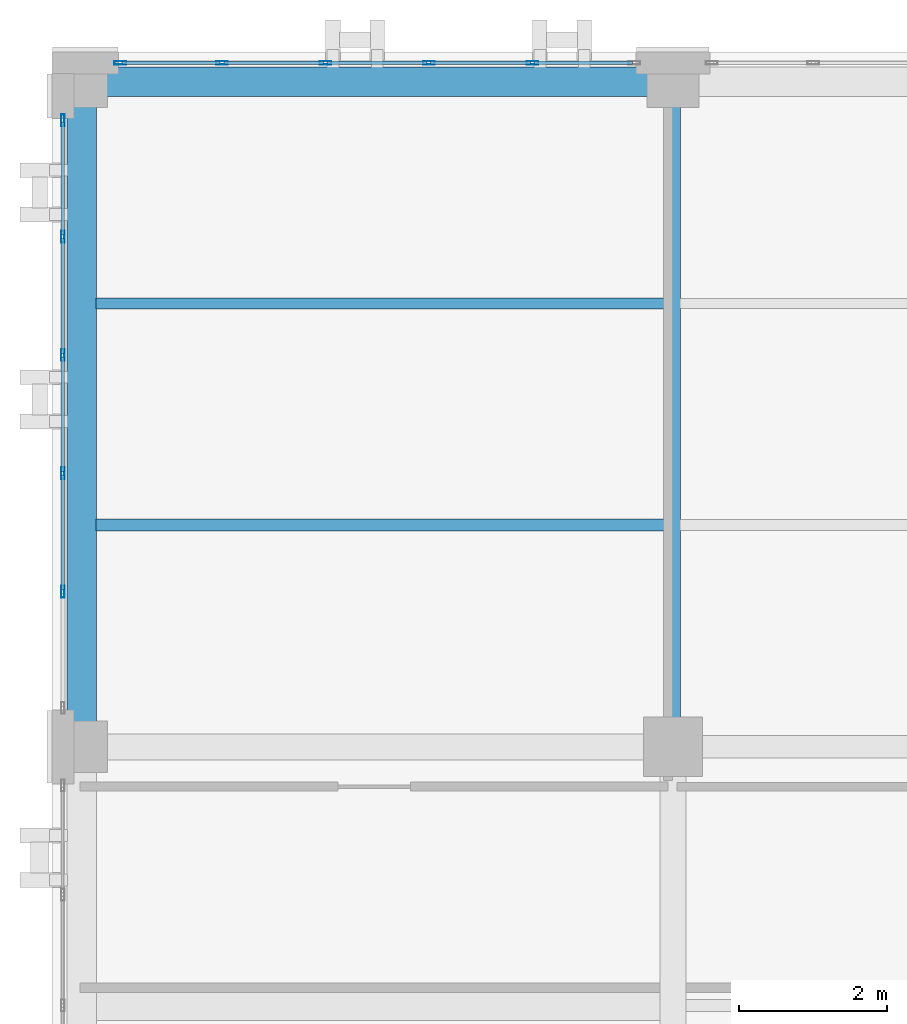
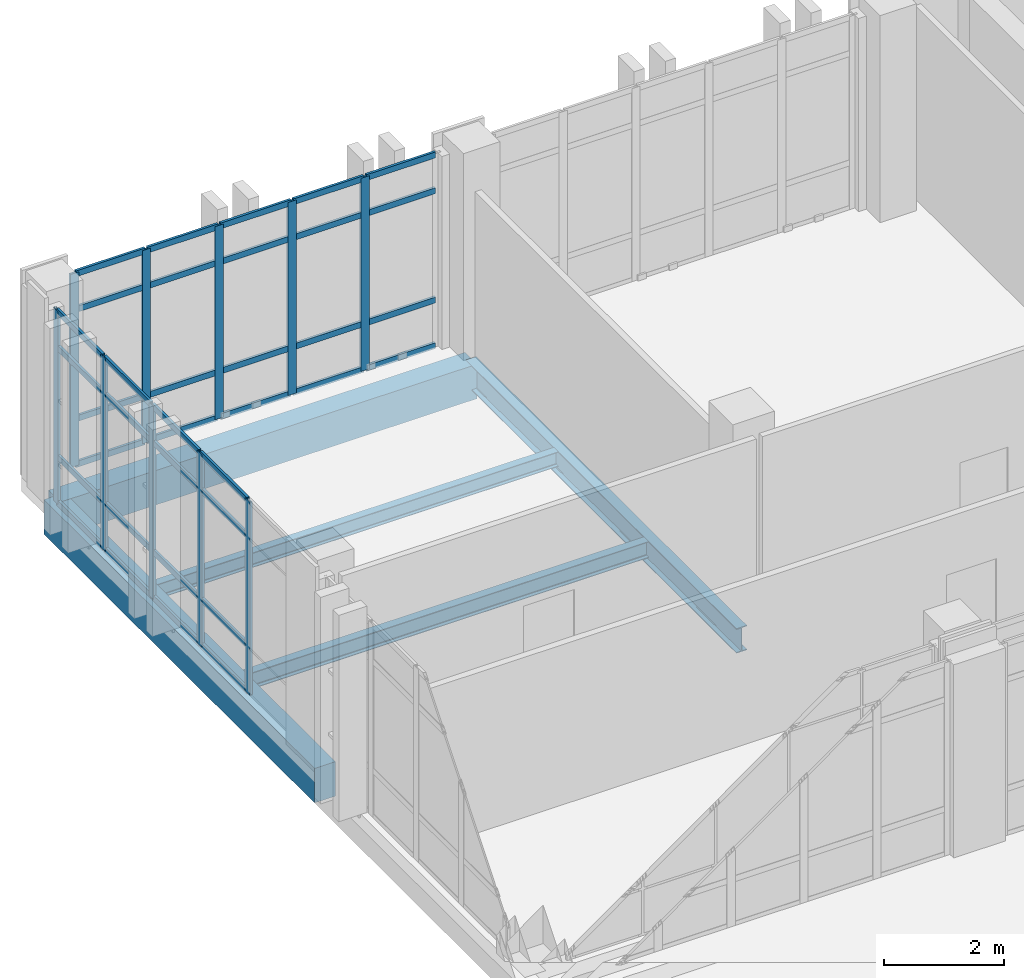
# One storey, part 87 of 165: 46 members, 5 beams, 2 elements without a shape of their own.
"""IFC4 building model written with IfcOpenShell, lengths in metres."""

from ifc_helpers import new_model, si_unit, direction, frame, origin, origin_2d, place, context, subcontext, project, spatial, rectangle, hollow_rectangle, i_section, extrude, material, layer, layer_set, material_profile, profile_set, type_object, element, aggregate, save


model = new_model("IFC4")

# Units and contexts
model_context = context("Model", 3, precision=1e-05, world=origin(), true_north=direction((0.0, 1.0)))
body_context = subcontext(model_context, "Body", "Model", "MODEL_VIEW")
ifc_project = project(units=[si_unit("LENGTHUNIT", "METRE"), si_unit("AREAUNIT", "SQUARE_METRE"), si_unit("VOLUMEUNIT", "CUBIC_METRE"), si_unit("PLANEANGLEUNIT", "RADIAN"), si_unit("MASSUNIT", "GRAM", prefix="KILO")], contexts=[model_context])

# Site, building, storey
site_placement = place(None, origin())
site = spatial("IfcSite", under=ifc_project, at=site_placement, CompositionType="ELEMENT")
building_placement = place(site_placement, origin())
building = spatial("IfcBuilding", under=site, at=building_placement, Name="Qalavern Law Courts", CompositionType="ELEMENT")
storey_placement = place(building_placement, frame((0.0, 0.0, 14.39990234375)))
storey = spatial("IfcBuildingStorey", under=building, at=storey_placement, Name="L03", CompositionType="ELEMENT", Elevation=14.39990234375)

# Curtain wall, members
ifc_material_1 = material(Name="Anodised aluminium and insulated glazing", Category="aluminium")
ifc_layer = layer(ifc_material_1, 0.166015625)
ifc_layer_set = layer_set([ifc_layer], Name="Anodised aluminium and insulated glazing")
curtain_wall_type = type_object("IfcCurtainWallType", Name="ENV-CW-LIB", PredefinedType="USERDEFINED", material=ifc_layer_set)
curtain_wall_1_placement = place(storey_placement, origin())
curtain_wall_1 = element("IfcCurtainWall", 1, at=curtain_wall_1_placement, inside=storey, type_object=curtain_wall_type, Name="V5 unitised curtain wall L03 north 7", ObjectType="UNITISED CURTAIN WALL", PredefinedType="USERDEFINED")
ifc_material_2 = material(Name="Anodised aluminium", Category="aluminium")
ifc_material_profile_1 = material_profile(ifc_material_2, hollow_rectangle(XDim=0.048095703125, YDim=0.159912109375, WallThickness=0.00390625, at=origin_2d()), Name="ALU MULLION 48x160")
ifc_profile_set_1 = profile_set([ifc_material_profile_1], Name="Anodised aluminium")
member_type_1 = type_object("IfcMemberType", Name="ENV-CWM-48x160", PredefinedType="MULLION", material=ifc_profile_set_1)
member_1_placement = place(storey_placement, frame((8.5, 112.8525390625, 0.0), z_axis=(0.0, 0.0, 1.0), x_axis=(0.0, -1.0, 0.0)))
member_1 = element("IfcMember", 2, at=member_1_placement, type_object=member_type_1, Name="CW-05 mullion 2", PredefinedType="MULLION", context=body_context, shape_type="SweptSolid", body=[
    extrude(hollow_rectangle(XDim=0.048095703125, YDim=0.159912109375, WallThickness=0.00390625, at=origin_2d()), origin(), (0.0, 0.0, 1.0), 3.920166015625),
])
member_2_placement = place(storey_placement, frame((7.10009765625, 112.8525390625, 0.0), z_axis=(0.0, 0.0, 1.0), x_axis=(0.0, -1.0, 0.0)))
member_2 = element("IfcMember", 3, at=member_2_placement, type_object=member_type_1, Name="CW-05 mullion 3", PredefinedType="MULLION", context=body_context, shape_type="SweptSolid", body=[
    extrude(hollow_rectangle(XDim=0.048095703125, YDim=0.159912109375, WallThickness=0.00390625, at=origin_2d()), origin(), (0.0, 0.0, 1.0), 3.920166015625),
])
member_3_placement = place(storey_placement, frame((5.699951171875, 112.8525390625, 0.0), z_axis=(0.0, 0.0, 1.0), x_axis=(0.0, -1.0, 0.0)))
member_3 = element("IfcMember", 4, at=member_3_placement, type_object=member_type_1, Name="CW-05 mullion 4", PredefinedType="MULLION", context=body_context, shape_type="SweptSolid", body=[
    extrude(hollow_rectangle(XDim=0.048095703125, YDim=0.159912109375, WallThickness=0.00390625, at=origin_2d()), origin(), (0.0, 0.0, 1.0), 3.920166015625),
])
member_4_placement = place(storey_placement, frame((4.300048828125, 112.8525390625, 0.0), z_axis=(0.0, 0.0, 1.0), x_axis=(0.0, -1.0, 0.0)))
member_4 = element("IfcMember", 5, at=member_4_placement, type_object=member_type_1, Name="CW-05 mullion 5", PredefinedType="MULLION", context=body_context, shape_type="SweptSolid", body=[
    extrude(hollow_rectangle(XDim=0.048095703125, YDim=0.159912109375, WallThickness=0.00390625, at=origin_2d()), origin(), (0.0, 0.0, 1.0), 3.920166015625),
])
member_5_placement = place(storey_placement, frame((2.924072265625, 112.8525390625, 0.0), z_axis=(0.0, 0.0, 1.0), x_axis=(0.0, -1.0, 0.0)))
member_5 = element("IfcMember", 6, at=member_5_placement, type_object=member_type_1, Name="CW-05 mullion 6", PredefinedType="MULLION", context=body_context, shape_type="SweptSolid", body=[
    extrude(hollow_rectangle(XDim=0.048095703125, YDim=0.159912109375, WallThickness=0.00390625, at=origin_2d()), origin(), (0.0, 0.0, 1.0), 3.920166015625),
])

curtain_wall_2_placement = place(storey_placement, origin())
curtain_wall_2 = element("IfcCurtainWall", 7, at=curtain_wall_2_placement, inside=storey, type_object=curtain_wall_type, Name="V5 unitised curtain wall L03 west 1", ObjectType="UNITISED CURTAIN WALL", PredefinedType="USERDEFINED")
member_6_placement = place(storey_placement, frame((2.1474609375, 112.075927734375, 0.0), z_axis=(0.0, 0.0, 1.0), x_axis=(1.0, 0.0, 0.0)))
member_6 = element("IfcMember", 8, at=member_6_placement, type_object=member_type_1, Name="CW-05 mullion 1", PredefinedType="MULLION", context=body_context, shape_type="SweptSolid", body=[
    extrude(hollow_rectangle(XDim=0.048095703125, YDim=0.159912109375, WallThickness=0.00390625, at=origin_2d()), origin(), (0.0, 0.0, 1.0), 3.920166015625),
])
member_7_placement = place(storey_placement, frame((2.1474609375, 110.5, 0.0), z_axis=(0.0, 0.0, 1.0), x_axis=(1.0, 0.0, 0.0)))
member_7 = element("IfcMember", 9, at=member_7_placement, type_object=member_type_1, Name="CW-05 mullion 2", PredefinedType="MULLION", context=body_context, shape_type="SweptSolid", body=[
    extrude(hollow_rectangle(XDim=0.048095703125, YDim=0.159912109375, WallThickness=0.00390625, at=origin_2d()), origin(), (0.0, 0.0, 1.0), 3.920166015625),
])
member_8_placement = place(storey_placement, frame((2.1474609375, 108.89990234375, 0.0), z_axis=(0.0, 0.0, 1.0), x_axis=(1.0, 0.0, 0.0)))
member_8 = element("IfcMember", 10, at=member_8_placement, type_object=member_type_1, Name="CW-05 mullion 3", PredefinedType="MULLION", context=body_context, shape_type="SweptSolid", body=[
    extrude(hollow_rectangle(XDim=0.048095703125, YDim=0.159912109375, WallThickness=0.00390625, at=origin_2d()), origin(), (0.0, 0.0, 1.0), 3.920166015625),
])
member_9_placement = place(storey_placement, frame((2.1474609375, 107.300048828125, 0.0), z_axis=(0.0, 0.0, 1.0), x_axis=(1.0, 0.0, 0.0)))
member_9 = element("IfcMember", 11, at=member_9_placement, type_object=member_type_1, Name="CW-05 mullion 4", PredefinedType="MULLION", context=body_context, shape_type="SweptSolid", body=[
    extrude(hollow_rectangle(XDim=0.048095703125, YDim=0.159912109375, WallThickness=0.00390625, at=origin_2d()), origin(), (0.0, 0.0, 1.0), 3.920166015625),
])
member_10_placement = place(storey_placement, frame((2.1474609375, 105.699951171875, 0.0), z_axis=(0.0, 0.0, 1.0), x_axis=(1.0, 0.0, 0.0)))
member_10 = element("IfcMember", 12, at=member_10_placement, type_object=member_type_1, Name="CW-05 mullion 5", PredefinedType="MULLION", context=body_context, shape_type="SweptSolid", body=[
    extrude(hollow_rectangle(XDim=0.048095703125, YDim=0.159912109375, WallThickness=0.00390625, at=origin_2d()), origin(), (0.0, 0.0, 1.0), 3.920166015625),
])

# Member
ifc_material_profile_2 = material_profile(ifc_material_2, hollow_rectangle(XDim=0.048095703125, YDim=0.1201171875, WallThickness=0.00390625, at=origin_2d()), Name="ALU TRANSOM 48x120")
ifc_profile_set_2 = profile_set([ifc_material_profile_2], Name="Anodised aluminium")
member_type_2 = type_object("IfcMemberType", Name="ENV-CWT-48x120", PredefinedType="USERDEFINED", material=ifc_profile_set_2)
member_11_placement = place(storey_placement, frame((9.85205078125, 112.8525390625, 0.024169921875), z_axis=(-1.0, 0.0, 0.0), x_axis=(0.0, -1.0, 0.0)))
member_11 = element("IfcMember", 13, at=member_11_placement, type_object=member_type_2, Name="CW-05 transom 1.1", ObjectType="TRANSOM", PredefinedType="USERDEFINED", context=body_context, shape_type="SweptSolid", body=[
    extrude(hollow_rectangle(XDim=0.048095703125, YDim=0.1201171875, WallThickness=0.00390625, at=origin_2d()), origin(), (0.0, 0.0, 1.0), 1.328125),
])

member_12_placement = place(storey_placement, frame((9.85205078125, 112.8525390625, 0.9501953125), z_axis=(-1.0, 0.0, 0.0), x_axis=(0.0, -1.0, 0.0)))
member_12 = element("IfcMember", 14, at=member_12_placement, type_object=member_type_2, Name="CW-05 transom 1.2", ObjectType="TRANSOM", PredefinedType="USERDEFINED", context=body_context, shape_type="SweptSolid", body=[
    extrude(hollow_rectangle(XDim=0.048095703125, YDim=0.1201171875, WallThickness=0.00390625, at=origin_2d()), origin(), (0.0, 0.0, 1.0), 1.328125),
])

member_13_placement = place(storey_placement, frame((9.85205078125, 112.8525390625, 3.170166015625), z_axis=(-1.0, 0.0, 0.0), x_axis=(0.0, -1.0, 0.0)))
member_13 = element("IfcMember", 15, at=member_13_placement, type_object=member_type_2, Name="CW-05 transom 1.3", ObjectType="TRANSOM", PredefinedType="USERDEFINED", context=body_context, shape_type="SweptSolid", body=[
    extrude(hollow_rectangle(XDim=0.048095703125, YDim=0.1201171875, WallThickness=0.00390625, at=origin_2d()), origin(), (0.0, 0.0, 1.0), 1.328125),
])

member_14_placement = place(storey_placement, frame((9.85205078125, 112.8525390625, 3.89599609375), z_axis=(-1.0, 0.0, 0.0), x_axis=(0.0, -1.0, 0.0)))
member_14 = element("IfcMember", 16, at=member_14_placement, type_object=member_type_2, Name="CW-05 transom 1.4", ObjectType="TRANSOM", PredefinedType="USERDEFINED", context=body_context, shape_type="SweptSolid", body=[
    extrude(hollow_rectangle(XDim=0.048095703125, YDim=0.1201171875, WallThickness=0.00390625, at=origin_2d()), origin(), (0.0, 0.0, 1.0), 1.328125),
])

member_15_placement = place(storey_placement, frame((8.47607421875, 112.8525390625, 0.024169921875), z_axis=(-1.0, 0.0, 0.0), x_axis=(0.0, -1.0, 0.0)))
member_15 = element("IfcMember", 17, at=member_15_placement, type_object=member_type_2, Name="CW-05 transom 2.1", ObjectType="TRANSOM", PredefinedType="USERDEFINED", context=body_context, shape_type="SweptSolid", body=[
    extrude(hollow_rectangle(XDim=0.048095703125, YDim=0.1201171875, WallThickness=0.00390625, at=origin_2d()), origin(), (0.0, 0.0, 1.0), 1.35205078125),
])

member_16_placement = place(storey_placement, frame((8.47607421875, 112.8525390625, 0.9501953125), z_axis=(-1.0, 0.0, 0.0), x_axis=(0.0, -1.0, 0.0)))
member_16 = element("IfcMember", 18, at=member_16_placement, type_object=member_type_2, Name="CW-05 transom 2.2", ObjectType="TRANSOM", PredefinedType="USERDEFINED", context=body_context, shape_type="SweptSolid", body=[
    extrude(hollow_rectangle(XDim=0.048095703125, YDim=0.1201171875, WallThickness=0.00390625, at=origin_2d()), origin(), (0.0, 0.0, 1.0), 1.35205078125),
])

member_17_placement = place(storey_placement, frame((8.47607421875, 112.8525390625, 3.170166015625), z_axis=(-1.0, 0.0, 0.0), x_axis=(0.0, -1.0, 0.0)))
member_17 = element("IfcMember", 19, at=member_17_placement, type_object=member_type_2, Name="CW-05 transom 2.3", ObjectType="TRANSOM", PredefinedType="USERDEFINED", context=body_context, shape_type="SweptSolid", body=[
    extrude(hollow_rectangle(XDim=0.048095703125, YDim=0.1201171875, WallThickness=0.00390625, at=origin_2d()), origin(), (0.0, 0.0, 1.0), 1.35205078125),
])

member_18_placement = place(storey_placement, frame((8.47607421875, 112.8525390625, 3.89599609375), z_axis=(-1.0, 0.0, 0.0), x_axis=(0.0, -1.0, 0.0)))
member_18 = element("IfcMember", 20, at=member_18_placement, type_object=member_type_2, Name="CW-05 transom 2.4", ObjectType="TRANSOM", PredefinedType="USERDEFINED", context=body_context, shape_type="SweptSolid", body=[
    extrude(hollow_rectangle(XDim=0.048095703125, YDim=0.1201171875, WallThickness=0.00390625, at=origin_2d()), origin(), (0.0, 0.0, 1.0), 1.35205078125),
])

member_19_placement = place(storey_placement, frame((7.075927734375, 112.8525390625, 0.024169921875), z_axis=(-1.0, 0.0, 0.0), x_axis=(0.0, -1.0, 0.0)))
member_19 = element("IfcMember", 21, at=member_19_placement, type_object=member_type_2, Name="CW-05 transom 3.1", ObjectType="TRANSOM", PredefinedType="USERDEFINED", context=body_context, shape_type="SweptSolid", body=[
    extrude(hollow_rectangle(XDim=0.048095703125, YDim=0.1201171875, WallThickness=0.00390625, at=origin_2d()), origin(), (0.0, 0.0, 1.0), 1.351806640625),
])

member_20_placement = place(storey_placement, frame((7.075927734375, 112.8525390625, 0.9501953125), z_axis=(-1.0, 0.0, 0.0), x_axis=(0.0, -1.0, 0.0)))
member_20 = element("IfcMember", 22, at=member_20_placement, type_object=member_type_2, Name="CW-05 transom 3.2", ObjectType="TRANSOM", PredefinedType="USERDEFINED", context=body_context, shape_type="SweptSolid", body=[
    extrude(hollow_rectangle(XDim=0.048095703125, YDim=0.1201171875, WallThickness=0.00390625, at=origin_2d()), origin(), (0.0, 0.0, 1.0), 1.351806640625),
])

member_21_placement = place(storey_placement, frame((7.075927734375, 112.8525390625, 3.170166015625), z_axis=(-1.0, 0.0, 0.0), x_axis=(0.0, -1.0, 0.0)))
member_21 = element("IfcMember", 23, at=member_21_placement, type_object=member_type_2, Name="CW-05 transom 3.3", ObjectType="TRANSOM", PredefinedType="USERDEFINED", context=body_context, shape_type="SweptSolid", body=[
    extrude(hollow_rectangle(XDim=0.048095703125, YDim=0.1201171875, WallThickness=0.00390625, at=origin_2d()), origin(), (0.0, 0.0, 1.0), 1.351806640625),
])

member_22_placement = place(storey_placement, frame((7.075927734375, 112.8525390625, 3.89599609375), z_axis=(-1.0, 0.0, 0.0), x_axis=(0.0, -1.0, 0.0)))
member_22 = element("IfcMember", 24, at=member_22_placement, type_object=member_type_2, Name="CW-05 transom 3.4", ObjectType="TRANSOM", PredefinedType="USERDEFINED", context=body_context, shape_type="SweptSolid", body=[
    extrude(hollow_rectangle(XDim=0.048095703125, YDim=0.1201171875, WallThickness=0.00390625, at=origin_2d()), origin(), (0.0, 0.0, 1.0), 1.351806640625),
])

member_23_placement = place(storey_placement, frame((5.676025390625, 112.8525390625, 0.024169921875), z_axis=(-1.0, 0.0, 0.0), x_axis=(0.0, -1.0, 0.0)))
member_23 = element("IfcMember", 25, at=member_23_placement, type_object=member_type_2, Name="CW-05 transom 4.1", ObjectType="TRANSOM", PredefinedType="USERDEFINED", context=body_context, shape_type="SweptSolid", body=[
    extrude(hollow_rectangle(XDim=0.048095703125, YDim=0.1201171875, WallThickness=0.00390625, at=origin_2d()), origin(), (0.0, 0.0, 1.0), 1.35205078125),
])

member_24_placement = place(storey_placement, frame((5.676025390625, 112.8525390625, 0.9501953125), z_axis=(-1.0, 0.0, 0.0), x_axis=(0.0, -1.0, 0.0)))
member_24 = element("IfcMember", 26, at=member_24_placement, type_object=member_type_2, Name="CW-05 transom 4.2", ObjectType="TRANSOM", PredefinedType="USERDEFINED", context=body_context, shape_type="SweptSolid", body=[
    extrude(hollow_rectangle(XDim=0.048095703125, YDim=0.1201171875, WallThickness=0.00390625, at=origin_2d()), origin(), (0.0, 0.0, 1.0), 1.35205078125),
])

member_25_placement = place(storey_placement, frame((5.676025390625, 112.8525390625, 3.170166015625), z_axis=(-1.0, 0.0, 0.0), x_axis=(0.0, -1.0, 0.0)))
member_25 = element("IfcMember", 27, at=member_25_placement, type_object=member_type_2, Name="CW-05 transom 4.3", ObjectType="TRANSOM", PredefinedType="USERDEFINED", context=body_context, shape_type="SweptSolid", body=[
    extrude(hollow_rectangle(XDim=0.048095703125, YDim=0.1201171875, WallThickness=0.00390625, at=origin_2d()), origin(), (0.0, 0.0, 1.0), 1.35205078125),
])

member_26_placement = place(storey_placement, frame((5.676025390625, 112.8525390625, 3.89599609375), z_axis=(-1.0, 0.0, 0.0), x_axis=(0.0, -1.0, 0.0)))
member_26 = element("IfcMember", 28, at=member_26_placement, type_object=member_type_2, Name="CW-05 transom 4.4", ObjectType="TRANSOM", PredefinedType="USERDEFINED", context=body_context, shape_type="SweptSolid", body=[
    extrude(hollow_rectangle(XDim=0.048095703125, YDim=0.1201171875, WallThickness=0.00390625, at=origin_2d()), origin(), (0.0, 0.0, 1.0), 1.35205078125),
])

member_27_placement = place(storey_placement, frame((4.27587890625, 112.8525390625, 0.024169921875), z_axis=(-1.0, 0.0, 0.0), x_axis=(0.0, -1.0, 0.0)))
member_27 = element("IfcMember", 29, at=member_27_placement, type_object=member_type_2, Name="CW-05 transom 5.1", ObjectType="TRANSOM", PredefinedType="USERDEFINED", context=body_context, shape_type="SweptSolid", body=[
    extrude(hollow_rectangle(XDim=0.048095703125, YDim=0.1201171875, WallThickness=0.00390625, at=origin_2d()), origin(), (0.0, 0.0, 1.0), 1.327880859375),
])

member_28_placement = place(storey_placement, frame((4.27587890625, 112.8525390625, 0.9501953125), z_axis=(-1.0, 0.0, 0.0), x_axis=(0.0, -1.0, 0.0)))
member_28 = element("IfcMember", 30, at=member_28_placement, type_object=member_type_2, Name="CW-05 transom 5.2", ObjectType="TRANSOM", PredefinedType="USERDEFINED", context=body_context, shape_type="SweptSolid", body=[
    extrude(hollow_rectangle(XDim=0.048095703125, YDim=0.1201171875, WallThickness=0.00390625, at=origin_2d()), origin(), (0.0, 0.0, 1.0), 1.327880859375),
])

member_29_placement = place(storey_placement, frame((4.27587890625, 112.8525390625, 3.170166015625), z_axis=(-1.0, 0.0, 0.0), x_axis=(0.0, -1.0, 0.0)))
member_29 = element("IfcMember", 31, at=member_29_placement, type_object=member_type_2, Name="CW-05 transom 5.3", ObjectType="TRANSOM", PredefinedType="USERDEFINED", context=body_context, shape_type="SweptSolid", body=[
    extrude(hollow_rectangle(XDim=0.048095703125, YDim=0.1201171875, WallThickness=0.00390625, at=origin_2d()), origin(), (0.0, 0.0, 1.0), 1.327880859375),
])

member_30_placement = place(storey_placement, frame((4.27587890625, 112.8525390625, 3.89599609375), z_axis=(-1.0, 0.0, 0.0), x_axis=(0.0, -1.0, 0.0)))
member_30 = element("IfcMember", 32, at=member_30_placement, type_object=member_type_2, Name="CW-05 transom 5.4", ObjectType="TRANSOM", PredefinedType="USERDEFINED", context=body_context, shape_type="SweptSolid", body=[
    extrude(hollow_rectangle(XDim=0.048095703125, YDim=0.1201171875, WallThickness=0.00390625, at=origin_2d()), origin(), (0.0, 0.0, 1.0), 1.327880859375),
])

aggregate(curtain_wall_1, [member_1, member_2, member_3, member_4, member_5, member_11, member_12, member_13, member_14, member_15, member_16, member_17, member_18, member_19, member_20, member_21, member_22, member_23, member_24, member_25, member_26, member_27, member_28, member_29, member_30])

member_31_placement = place(storey_placement, frame((2.1474609375, 112.052001953125, 0.024169921875), z_axis=(0.0, -1.0, 0.0), x_axis=(1.0, 0.0, 0.0)))
member_31 = element("IfcMember", 33, at=member_31_placement, type_object=member_type_2, Name="CW-05 transom 1.1", ObjectType="TRANSOM", PredefinedType="USERDEFINED", context=body_context, shape_type="SweptSolid", body=[
    extrude(hollow_rectangle(XDim=0.048095703125, YDim=0.1201171875, WallThickness=0.00390625, at=origin_2d()), origin(), (0.0, 0.0, 1.0), 1.528076171875),
])

member_32_placement = place(storey_placement, frame((2.1474609375, 112.052001953125, 0.9501953125), z_axis=(0.0, -1.0, 0.0), x_axis=(1.0, 0.0, 0.0)))
member_32 = element("IfcMember", 34, at=member_32_placement, type_object=member_type_2, Name="CW-05 transom 1.2", ObjectType="TRANSOM", PredefinedType="USERDEFINED", context=body_context, shape_type="SweptSolid", body=[
    extrude(hollow_rectangle(XDim=0.048095703125, YDim=0.1201171875, WallThickness=0.00390625, at=origin_2d()), origin(), (0.0, 0.0, 1.0), 1.528076171875),
])

member_33_placement = place(storey_placement, frame((2.1474609375, 112.052001953125, 3.170166015625), z_axis=(0.0, -1.0, 0.0), x_axis=(1.0, 0.0, 0.0)))
member_33 = element("IfcMember", 35, at=member_33_placement, type_object=member_type_2, Name="CW-05 transom 1.3", ObjectType="TRANSOM", PredefinedType="USERDEFINED", context=body_context, shape_type="SweptSolid", body=[
    extrude(hollow_rectangle(XDim=0.048095703125, YDim=0.1201171875, WallThickness=0.00390625, at=origin_2d()), origin(), (0.0, 0.0, 1.0), 1.528076171875),
])

member_34_placement = place(storey_placement, frame((2.1474609375, 112.052001953125, 3.89599609375), z_axis=(0.0, -1.0, 0.0), x_axis=(1.0, 0.0, 0.0)))
member_34 = element("IfcMember", 36, at=member_34_placement, type_object=member_type_2, Name="CW-05 transom 1.4", ObjectType="TRANSOM", PredefinedType="USERDEFINED", context=body_context, shape_type="SweptSolid", body=[
    extrude(hollow_rectangle(XDim=0.048095703125, YDim=0.1201171875, WallThickness=0.00390625, at=origin_2d()), origin(), (0.0, 0.0, 1.0), 1.528076171875),
])

member_35_placement = place(storey_placement, frame((2.1474609375, 110.47607421875, 0.024169921875), z_axis=(0.0, -1.0, 0.0), x_axis=(1.0, 0.0, 0.0)))
member_35 = element("IfcMember", 37, at=member_35_placement, type_object=member_type_2, Name="CW-05 transom 2.1", ObjectType="TRANSOM", PredefinedType="USERDEFINED", context=body_context, shape_type="SweptSolid", body=[
    extrude(hollow_rectangle(XDim=0.048095703125, YDim=0.1201171875, WallThickness=0.00390625, at=origin_2d()), origin(), (0.0, 0.0, 1.0), 1.552001953125),
])

member_36_placement = place(storey_placement, frame((2.1474609375, 110.47607421875, 0.9501953125), z_axis=(0.0, -1.0, 0.0), x_axis=(1.0, 0.0, 0.0)))
member_36 = element("IfcMember", 38, at=member_36_placement, type_object=member_type_2, Name="CW-05 transom 2.2", ObjectType="TRANSOM", PredefinedType="USERDEFINED", context=body_context, shape_type="SweptSolid", body=[
    extrude(hollow_rectangle(XDim=0.048095703125, YDim=0.1201171875, WallThickness=0.00390625, at=origin_2d()), origin(), (0.0, 0.0, 1.0), 1.552001953125),
])

member_37_placement = place(storey_placement, frame((2.1474609375, 110.47607421875, 3.170166015625), z_axis=(0.0, -1.0, 0.0), x_axis=(1.0, 0.0, 0.0)))
member_37 = element("IfcMember", 39, at=member_37_placement, type_object=member_type_2, Name="CW-05 transom 2.3", ObjectType="TRANSOM", PredefinedType="USERDEFINED", context=body_context, shape_type="SweptSolid", body=[
    extrude(hollow_rectangle(XDim=0.048095703125, YDim=0.1201171875, WallThickness=0.00390625, at=origin_2d()), origin(), (0.0, 0.0, 1.0), 1.552001953125),
])

member_38_placement = place(storey_placement, frame((2.1474609375, 110.47607421875, 3.89599609375), z_axis=(0.0, -1.0, 0.0), x_axis=(1.0, 0.0, 0.0)))
member_38 = element("IfcMember", 40, at=member_38_placement, type_object=member_type_2, Name="CW-05 transom 2.4", ObjectType="TRANSOM", PredefinedType="USERDEFINED", context=body_context, shape_type="SweptSolid", body=[
    extrude(hollow_rectangle(XDim=0.048095703125, YDim=0.1201171875, WallThickness=0.00390625, at=origin_2d()), origin(), (0.0, 0.0, 1.0), 1.552001953125),
])

member_39_placement = place(storey_placement, frame((2.1474609375, 108.8759765625, 0.024169921875), z_axis=(0.0, -1.0, 0.0), x_axis=(1.0, 0.0, 0.0)))
member_39 = element("IfcMember", 41, at=member_39_placement, type_object=member_type_2, Name="CW-05 transom 3.1", ObjectType="TRANSOM", PredefinedType="USERDEFINED", context=body_context, shape_type="SweptSolid", body=[
    extrude(hollow_rectangle(XDim=0.048095703125, YDim=0.1201171875, WallThickness=0.00390625, at=origin_2d()), origin(), (0.0, 0.0, 1.0), 1.552001953125),
])

member_40_placement = place(storey_placement, frame((2.1474609375, 108.8759765625, 0.9501953125), z_axis=(0.0, -1.0, 0.0), x_axis=(1.0, 0.0, 0.0)))
member_40 = element("IfcMember", 42, at=member_40_placement, type_object=member_type_2, Name="CW-05 transom 3.2", ObjectType="TRANSOM", PredefinedType="USERDEFINED", context=body_context, shape_type="SweptSolid", body=[
    extrude(hollow_rectangle(XDim=0.048095703125, YDim=0.1201171875, WallThickness=0.00390625, at=origin_2d()), origin(), (0.0, 0.0, 1.0), 1.552001953125),
])

member_41_placement = place(storey_placement, frame((2.1474609375, 108.8759765625, 3.170166015625), z_axis=(0.0, -1.0, 0.0), x_axis=(1.0, 0.0, 0.0)))
member_41 = element("IfcMember", 43, at=member_41_placement, type_object=member_type_2, Name="CW-05 transom 3.3", ObjectType="TRANSOM", PredefinedType="USERDEFINED", context=body_context, shape_type="SweptSolid", body=[
    extrude(hollow_rectangle(XDim=0.048095703125, YDim=0.1201171875, WallThickness=0.00390625, at=origin_2d()), origin(), (0.0, 0.0, 1.0), 1.552001953125),
])

member_42_placement = place(storey_placement, frame((2.1474609375, 108.8759765625, 3.89599609375), z_axis=(0.0, -1.0, 0.0), x_axis=(1.0, 0.0, 0.0)))
member_42 = element("IfcMember", 44, at=member_42_placement, type_object=member_type_2, Name="CW-05 transom 3.4", ObjectType="TRANSOM", PredefinedType="USERDEFINED", context=body_context, shape_type="SweptSolid", body=[
    extrude(hollow_rectangle(XDim=0.048095703125, YDim=0.1201171875, WallThickness=0.00390625, at=origin_2d()), origin(), (0.0, 0.0, 1.0), 1.552001953125),
])

member_43_placement = place(storey_placement, frame((2.1474609375, 107.27587890625, 0.024169921875), z_axis=(0.0, -1.0, 0.0), x_axis=(1.0, 0.0, 0.0)))
member_43 = element("IfcMember", 45, at=member_43_placement, type_object=member_type_2, Name="CW-05 transom 4.1", ObjectType="TRANSOM", PredefinedType="USERDEFINED", context=body_context, shape_type="SweptSolid", body=[
    extrude(hollow_rectangle(XDim=0.048095703125, YDim=0.1201171875, WallThickness=0.00390625, at=origin_2d()), origin(), (0.0, 0.0, 1.0), 1.5517578125),
])

member_44_placement = place(storey_placement, frame((2.1474609375, 107.27587890625, 0.9501953125), z_axis=(0.0, -1.0, 0.0), x_axis=(1.0, 0.0, 0.0)))
member_44 = element("IfcMember", 46, at=member_44_placement, type_object=member_type_2, Name="CW-05 transom 4.2", ObjectType="TRANSOM", PredefinedType="USERDEFINED", context=body_context, shape_type="SweptSolid", body=[
    extrude(hollow_rectangle(XDim=0.048095703125, YDim=0.1201171875, WallThickness=0.00390625, at=origin_2d()), origin(), (0.0, 0.0, 1.0), 1.5517578125),
])

member_45_placement = place(storey_placement, frame((2.1474609375, 107.27587890625, 3.170166015625), z_axis=(0.0, -1.0, 0.0), x_axis=(1.0, 0.0, 0.0)))
member_45 = element("IfcMember", 47, at=member_45_placement, type_object=member_type_2, Name="CW-05 transom 4.3", ObjectType="TRANSOM", PredefinedType="USERDEFINED", context=body_context, shape_type="SweptSolid", body=[
    extrude(hollow_rectangle(XDim=0.048095703125, YDim=0.1201171875, WallThickness=0.00390625, at=origin_2d()), origin(), (0.0, 0.0, 1.0), 1.5517578125),
])

member_46_placement = place(storey_placement, frame((2.1474609375, 107.27587890625, 3.89599609375), z_axis=(0.0, -1.0, 0.0), x_axis=(1.0, 0.0, 0.0)))
member_46 = element("IfcMember", 48, at=member_46_placement, type_object=member_type_2, Name="CW-05 transom 4.4", ObjectType="TRANSOM", PredefinedType="USERDEFINED", context=body_context, shape_type="SweptSolid", body=[
    extrude(hollow_rectangle(XDim=0.048095703125, YDim=0.1201171875, WallThickness=0.00390625, at=origin_2d()), origin(), (0.0, 0.0, 1.0), 1.5517578125),
])

aggregate(curtain_wall_2, [member_6, member_7, member_8, member_9, member_10, member_31, member_32, member_33, member_34, member_35, member_36, member_37, member_38, member_39, member_40, member_41, member_42, member_43, member_44, member_45, member_46])

# Beams
ifc_material_3 = material(Name="Steel S355", Category="steel")
ifc_material_profile_3 = material_profile(ifc_material_3, i_section(OverallWidth=0.199951171875, OverallDepth=0.5, WebThickness=0.01025390625, FlangeThickness=0.01611328125, FilletRadius=0.02099609375, at=origin_2d()), Name="IPE 500")
ifc_profile_set_3 = profile_set([ifc_material_profile_3], Name="Steel S355")
beam_type_1 = type_object("IfcBeamType", Name="STR-BM-IPE500", PredefinedType="BEAM", material=ifc_profile_set_3)
beam_1_placement = place(storey_placement, frame((10.39990234375, 103.60009765625, -0.534912109375), z_axis=(0.0, 1.0, 0.0), x_axis=(-1.0, 0.0, 0.0)))
element("IfcBeam", 49, at=beam_1_placement, inside=storey, type_object=beam_type_1, Name="V5 Y-beam 2-2 L03", PredefinedType="BEAM", context=body_context, shape_type="SweptSolid", body=[
    extrude(i_section(OverallWidth=0.199951171875, OverallDepth=0.5, WebThickness=0.01025390625, FlangeThickness=0.01611328125, FilletRadius=0.02099609375, at=origin_2d()), origin(), (0.0, 0.0, 1.0), 9.0),
])
ifc_material_profile_4 = material_profile(ifc_material_3, i_section(OverallWidth=0.14990234375, OverallDepth=0.300048828125, WebThickness=0.007080078125, FlangeThickness=0.0107421875, FilletRadius=0.014892578125, at=origin_2d()), Name="IPE 300")
ifc_profile_set_4 = profile_set([ifc_material_profile_4], Name="Steel S355")
beam_type_2 = type_object("IfcBeamType", Name="STR-JST-IPE300", PredefinedType="JOIST", material=ifc_profile_set_4)
beam_2_placement = place(storey_placement, frame((2.597900390625, 109.60009765625, -0.434814453125), z_axis=(1.0, 0.0, 0.0), x_axis=(0.0, 1.0, 0.0)))
element("IfcBeam", 50, at=beam_2_placement, inside=storey, type_object=beam_type_2, Name="V5 secondary joist 1.2.2 L03", PredefinedType="JOIST", context=body_context, shape_type="SweptSolid", body=[
    extrude(i_section(OverallWidth=0.14990234375, OverallDepth=0.300048828125, WebThickness=0.007080078125, FlangeThickness=0.0107421875, FilletRadius=0.014892578125, at=origin_2d()), origin(), (0.0, 0.0, 1.0), 7.7041015625),
])
ifc_material_profile_5 = material_profile(ifc_material_3, i_section(OverallWidth=0.159912109375, OverallDepth=0.330078125, WebThickness=0.007568359375, FlangeThickness=0.011474609375, FilletRadius=0.01806640625, at=origin_2d()), Name="IPE 330")
ifc_profile_set_5 = profile_set([ifc_material_profile_5], Name="Steel S355")
beam_type_3 = type_object("IfcBeamType", Name="STR-JST-IPE330", PredefinedType="JOIST", material=ifc_profile_set_5)
beam_3_placement = place(storey_placement, frame((2.597900390625, 106.60009765625, -0.449951171875), z_axis=(1.0, 0.0, 0.0), x_axis=(0.0, 1.0, 0.0)))
element("IfcBeam", 51, at=beam_3_placement, inside=storey, type_object=beam_type_3, Name="V5 secondary joist 1.2.1 L03", PredefinedType="JOIST", context=body_context, shape_type="SweptSolid", body=[
    extrude(i_section(OverallWidth=0.159912109375, OverallDepth=0.330078125, WebThickness=0.007568359375, FlangeThickness=0.011474609375, FilletRadius=0.01806640625, at=origin_2d()), origin(), (0.0, 0.0, 1.0), 7.7041015625),
])
ifc_material_4 = material(Name="Concrete C40/50", Category="concrete")
ifc_material_profile_6 = material_profile(ifc_material_4, rectangle(XDim=0.39990234375, YDim=0.699951171875, at=origin_2d()), Name="RC 400x700")
ifc_profile_set_6 = profile_set([ifc_material_profile_6], Name="Concrete C40/50")
beam_type_4 = type_object("IfcBeamType", Name="STR-SP-RC400x700", PredefinedType="SPANDREL", material=ifc_profile_set_6)
beam_4_placement = place(storey_placement, frame((2.39990234375, 112.60009765625, -0.635009765625), z_axis=(1.0, 0.0, 0.0), x_axis=(0.0, 1.0, 0.0)))
element("IfcBeam", 52, at=beam_4_placement, inside=storey, type_object=beam_type_4, Name="V5 X-beam 3-1 L03", PredefinedType="SPANDREL", context=body_context, shape_type="SweptSolid", body=[
    extrude(rectangle(XDim=0.39990234375, YDim=0.699951171875, at=origin_2d()), origin(), (0.0, 0.0, 1.0), 8.0),
])
beam_5_placement = place(storey_placement, frame((2.39990234375, 103.60009765625, -0.635009765625), z_axis=(0.0, 1.0, 0.0), x_axis=(-1.0, 0.0, 0.0)))
element("IfcBeam", 53, at=beam_5_placement, inside=storey, type_object=beam_type_4, Name="V5 Y-beam 1-2 L03", PredefinedType="SPANDREL", context=body_context, shape_type="SweptSolid", body=[
    extrude(rectangle(XDim=0.39990234375, YDim=0.699951171875, at=origin_2d()), origin(), (0.0, 0.0, 1.0), 9.0),
])

save(model, "model.ifc")
